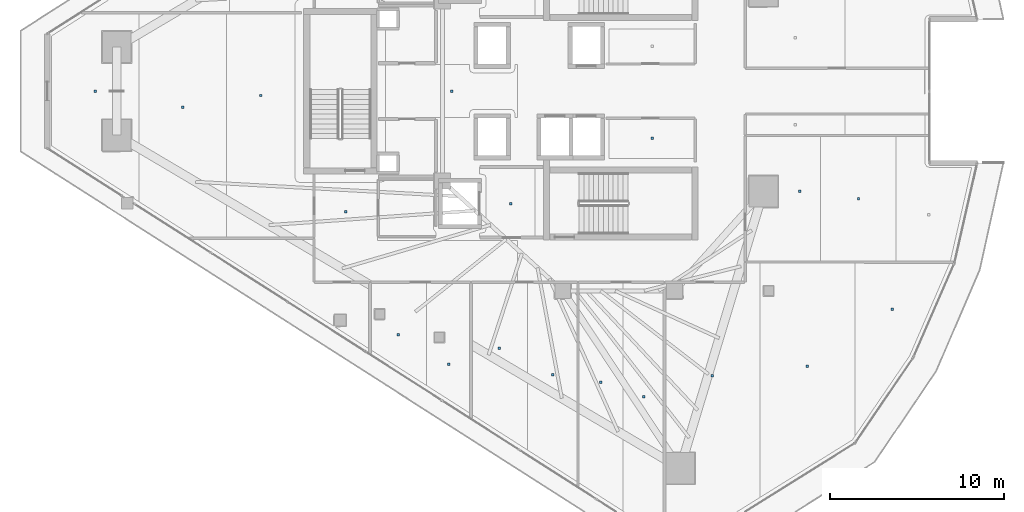
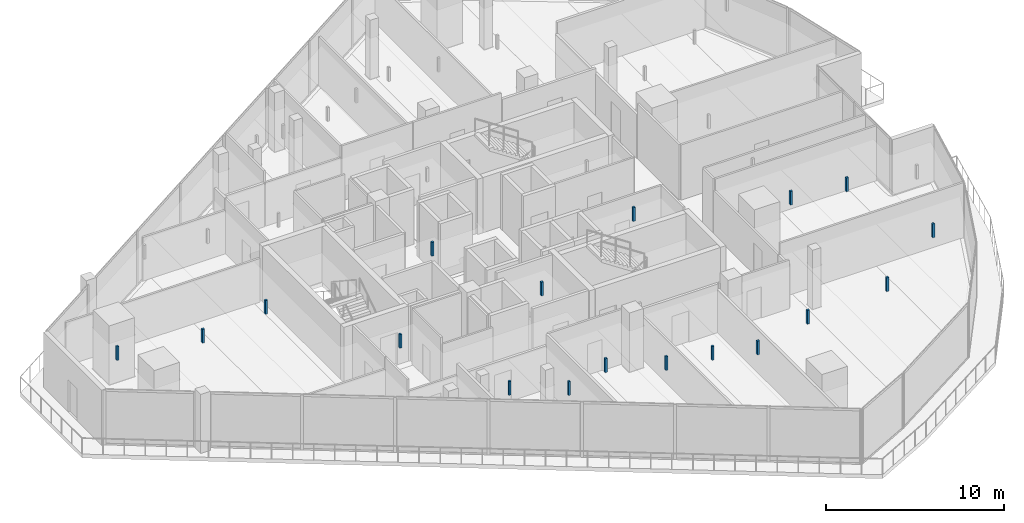
# One storey, part 26 of 33: 18 discrete accessories.
"""IFC4 building model written with IfcOpenShell, lengths in metres."""

from ifc_helpers import new_model, si_unit, direction, frame, origin, origin_2d, place, context, subcontext, project, spatial, rectangle, extrude, material, type_object, element, save


model = new_model("IFC4")

# Units and contexts
model_context = context("Model", 3, precision=1e-05, world=origin(), true_north=direction((0.0, 1.0)))
body_context = subcontext(model_context, "Body", "Model", "MODEL_VIEW")
ifc_project = project(units=[si_unit("LENGTHUNIT", "METRE"), si_unit("AREAUNIT", "SQUARE_METRE"), si_unit("VOLUMEUNIT", "CUBIC_METRE"), si_unit("PLANEANGLEUNIT", "RADIAN"), si_unit("MASSUNIT", "GRAM", prefix="KILO")], contexts=[model_context])

# Site, building, storey
site_placement = place(None, origin())
site = spatial("IfcSite", under=ifc_project, at=site_placement, CompositionType="ELEMENT")
building_placement = place(site_placement, origin())
building = spatial("IfcBuilding", under=site, at=building_placement, Name="Qorvath Tower", CompositionType="ELEMENT")
storey_placement = place(building_placement, frame((0.0, 0.0, 237.449951171875)))
storey = spatial("IfcBuildingStorey", under=building, at=storey_placement, Name="L55", CompositionType="ELEMENT", Elevation=237.449951171875)

# Discrete accessories
ifc_material = material(Name="Galvanised steel bracket", Category="steel")
discrete_accessory_type = type_object("IfcDiscreteAccessoryType", Name="DA-BRACKET", PredefinedType="BRACKET", material=ifc_material)
for number, where, z_axis, x_axis, name in (
    (1, (-26.590087890625, -6.449951171875, 2.85986328125), (0.0, 0.0, 1.0), (1.0, 0.0, 0.0), "Acoustic Ceiling Suspension Hanger T1-L55-002"),
    (2, (-18.472412109375, -2.70751953125, 2.85986328125), (0.0, 0.0, 1.0), (1.0, 0.0, 0.0), "Acoustic Ceiling Suspension Hanger T1-L55-004"),
    (3, (-36.04150390625, -6.907470703125, 2.85986328125), (0.0, 0.0, 1.0), (1.0, 0.0, 0.0), "Acoustic Ceiling Suspension Hanger T1-L55-009"),
    (4, (-29.9716796875, 0.0, 2.85986328125), (0.0, 0.0, 1.0), (1.0, 0.0, 0.0), "Acoustic Ceiling Suspension Hanger T1-L55-011"),
    (5, (-33.0322265625, -13.970458984375, 2.85986328125), (0.0, 0.0, 1.0), (1.0, 0.0, 0.0), "Acoustic Ceiling Suspension Hanger T1-L55-021"),
    (6, (-30.1435546875, -15.658203125, 2.85986328125), (0.0, 0.0, 1.0), (1.0, 0.0, 0.0), "Acoustic Ceiling Suspension Hanger T1-L55-022"),
    (7, (-27.234130859375, -14.740234375, 2.85986328125), (0.0, 0.0, 1.0), (1.0, 0.0, 0.0), "Acoustic Ceiling Suspension Hanger T1-L55-023"),
    (8, (-24.17822265625, -16.271240234375, 2.85986328125), (0.0, 0.0, 1.0), (1.0, 0.0, 0.0), "Acoustic Ceiling Suspension Hanger T1-L55-024"),
    (9, (-21.433837890625, -16.698974609375, 2.85986328125), (0.0, 0.0, 1.0), (1.0, 0.0, 0.0), "Acoustic Ceiling Suspension Hanger T1-L55-025"),
    (10, (-18.961669921875, -17.52099609375, 2.85986328125), (0.0, 0.0, 1.0), (1.0, 0.0, 0.0), "Acoustic Ceiling Suspension Hanger T1-L55-026"),
    (11, (-15.029296875, -16.322265625, 2.85986328125), (0.0, 0.0, 1.0), (1.0, 0.0, 0.0), "Acoustic Ceiling Suspension Hanger T1-L55-027"),
    (12, (-9.57373046875, -15.7734375, 2.85986328125), (0.0, 0.0, 1.0), (1.0, 0.0, 0.0), "Acoustic Ceiling Suspension Hanger T1-L55-028"),
    (13, (-4.6982421875, -12.496826171875, 2.85986328125), (0.0, 0.0, 1.0), (1.0, 0.0, 0.0), "Acoustic Ceiling Suspension Hanger T1-L55-029"),
    (14, (-10.01904296875, -5.736572265625, 2.85986328125), (0.0, 0.0, 1.0), (1.0, 0.0, 0.0), "Acoustic Ceiling Suspension Hanger T1-L55-030"),
    (15, (-6.644287109375, -6.170654296875, 2.85986328125), (0.0, 0.0, 1.0), (1.0, 0.0, 0.0), "Acoustic Ceiling Suspension Hanger T1-L55-031"),
    (16, (-50.409423828125, 0.0, 2.85986328125), (0.0, 0.0, 1.0), (1.0, 0.0, 0.0), "Acoustic Ceiling Suspension Hanger T1-L55-040"),
    (17, (-45.392333984375, -0.927734375, 2.85986328125), (0.0, 0.0, 1.0), (1.0, 0.0, 0.0), "Acoustic Ceiling Suspension Hanger T1-L55-041"),
    (18, (-40.916259765625, -0.252685546875, 2.85986328125), (0.0, 0.0, 1.0), (1.0, 0.0, 0.0), "Acoustic Ceiling Suspension Hanger T1-L55-042"),
):
    element("IfcDiscreteAccessory", number, at=place(storey_placement, frame(where, z_axis=z_axis, x_axis=x_axis)), inside=storey, type_object=discrete_accessory_type, Name=name, PredefinedType="NOTDEFINED", context=body_context, shape_type="SweptSolid", body=[
        extrude(rectangle(XDim=0.139892578125, YDim=0.139892578125, at=origin_2d()), origin(), (0.0, 0.0, 1.0), 0.949951171875),
    ])

save(model, "model.ifc")
